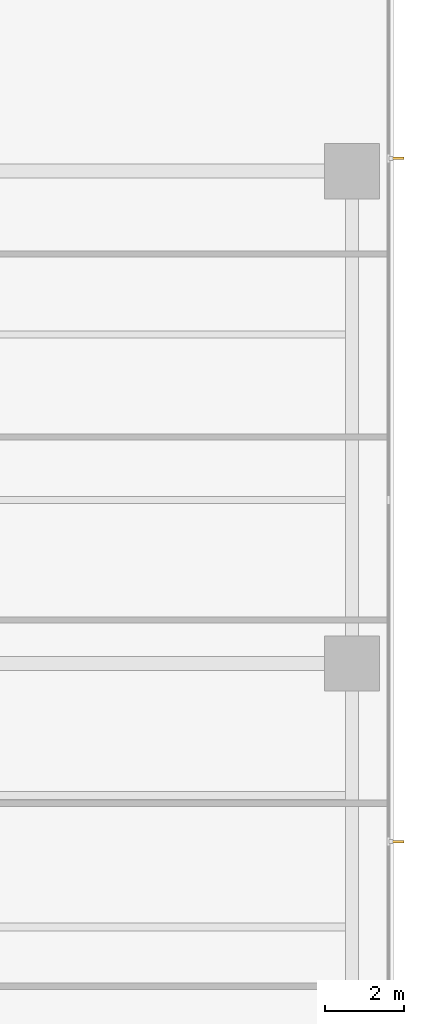
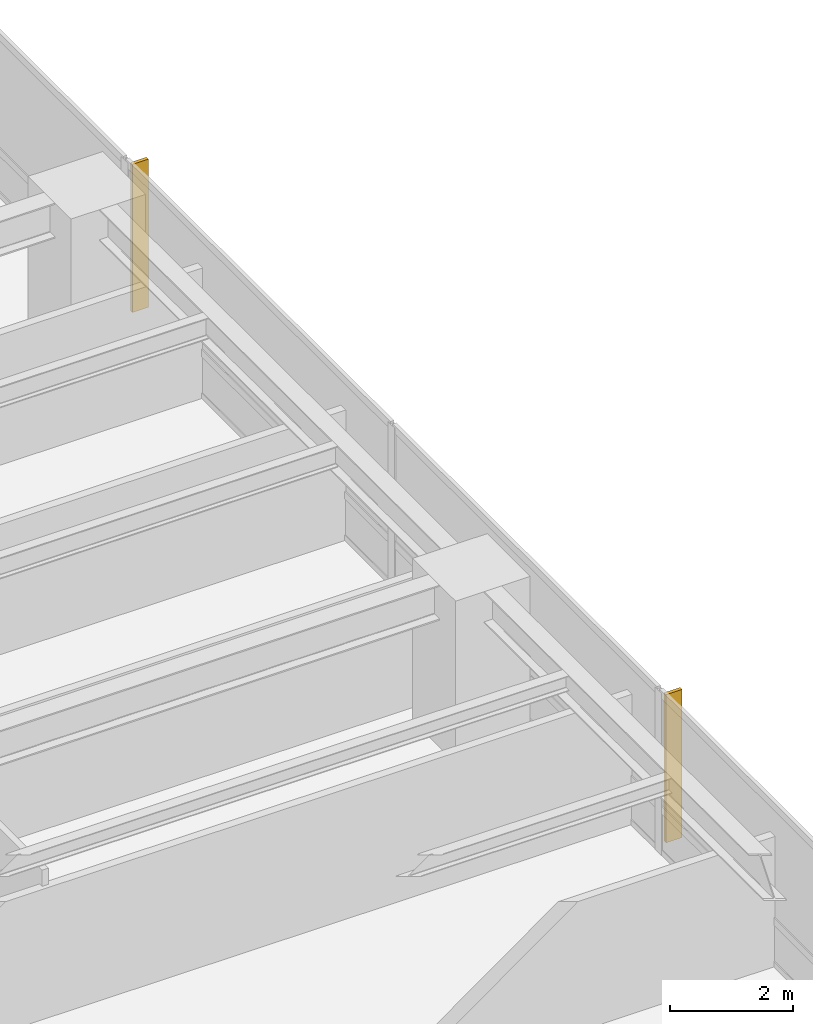
# One storey, part 17 of 18: 2 shading devices.
"""IFC4 building model written with IfcOpenShell, lengths in metres."""

import ifcopenshell
import ifcopenshell.guid

model = None  # the IFC model being written
_history = None  # IfcOwnerHistory: only IFC2X3 demands one
_inside = {}  # id of a spatial element -> (the spatial element, [elements in it])
_under = {}  # id of a project, library or spatial element -> (it, [spatial elements below it])
_declared = {}  # id of a project -> (the project, [libraries it declares])
_typed = {}  # id of a type object -> (the type object, [elements of that type])
_made_of = {}  # id of a material, layer set ... -> (it, [elements and type objects made of it])


def new_model(schema):
    """Start an empty IFC model of exactly this schema.

    Asked for "IFC4X3", IfcOpenShell would pick the latest addendum, in which some entities
    have other attributes; the version numbers below select the first issue.
    IFC2X3 requires an IfcOwnerHistory on every rooted entity: one is made here for all.
    """
    global model, _history
    if schema == "IFC4X3":
        model = ifcopenshell.file(schema_version=(4, 3, 0, 0))
    else:
        model = ifcopenshell.file(schema=schema)
    _inside.clear()
    _under.clear()
    _declared.clear()
    _typed.clear()
    _made_of.clear()
    _history = None
    if model.schema == "IFC2X3":
        org = make("IfcOrganization", Name="unknown")
        user = make(
            "IfcPersonAndOrganization",
            ThePerson=make("IfcPerson", FamilyName="unknown"),
            TheOrganization=org,
        )
        app = make(
            "IfcApplication",
            ApplicationDeveloper=org,
            Version="unknown",
            ApplicationFullName="unknown",
            ApplicationIdentifier="unknown",
        )
        _history = make(
            "IfcOwnerHistory",
            OwningUser=user,
            OwningApplication=app,
            ChangeAction="ADDED",
            CreationDate=0,
        )
    return model


def make(cls, **values):
    """One entity of the class cls with the attributes given. An attribute that is None is left unset."""
    return model.create_entity(
        cls, **{name: value for name, value in values.items() if value is not None}
    )


def rooted(cls, **values):
    """An entity with a GlobalId (a new one), such as an element, a storey or a relation."""
    return make(cls, GlobalId=ifcopenshell.guid.new(), OwnerHistory=_history, **values)


def si_unit(unit_type, name, prefix=None):
    """IfcSIUnit, for example si_unit("LENGTHUNIT", "METRE", prefix="MILLI")."""
    return make("IfcSIUnit", UnitType=unit_type, Prefix=prefix, Name=name)


def assignment(units):
    """IfcUnitAssignment: the units of a project."""
    return None if units is None else make("IfcUnitAssignment", Units=units)


def point(xyz):
    """IfcCartesianPoint."""
    return None if xyz is None else make("IfcCartesianPoint", Coordinates=xyz)


def direction(xyz):
    """IfcDirection."""
    return None if xyz is None else make("IfcDirection", DirectionRatios=xyz)


def frame(location, z_axis=None, x_axis=None):
    """IfcAxis2Placement3D, a coordinate frame: its origin and axes. An axis left out is left unset."""
    return make(
        "IfcAxis2Placement3D",
        Location=point(location),
        Axis=direction(z_axis),
        RefDirection=direction(x_axis),
    )


def origin():
    """The frame at (0, 0, 0) with its axes left unset."""
    return frame((0.0, 0.0, 0.0))


def place(relative_to, where):
    """IfcLocalPlacement: puts the frame where relative to a parent placement (None: the world)."""
    return make(
        "IfcLocalPlacement", PlacementRelTo=relative_to, RelativePlacement=where
    )


def context(
    kind, dimensions, precision=None, world=None, true_north=None, identifier=None
):
    """IfcGeometricRepresentationContext, for example the 3D "Model" context."""
    return make(
        "IfcGeometricRepresentationContext",
        ContextIdentifier=identifier,
        ContextType=kind,
        CoordinateSpaceDimension=dimensions,
        Precision=precision,
        WorldCoordinateSystem=world,
        TrueNorth=true_north,
    )


def subcontext(parent, identifier, kind, view, scale=None):
    """IfcGeometricRepresentationSubContext, for example "Body" below "Model"."""
    return make(
        "IfcGeometricRepresentationSubContext",
        ContextIdentifier=identifier,
        ContextType=kind,
        ParentContext=parent,
        TargetScale=scale,
        TargetView=view,
    )


def project(units=None, contexts=None):
    """IfcProject with its units and contexts."""
    return rooted(
        "IfcProject",
        Name="project",
        RepresentationContexts=contexts,
        UnitsInContext=assignment(units),
    )


def spatial(cls, under=None, at=None, **own):
    """A site, building, storey or space (cls), placed at a placement, below another one or the project."""
    s = rooted(cls, ObjectPlacement=at, **own)
    if under is not None:
        _under.setdefault(under.id(), (under, []))[1].append(s)
    return s


def polyline(points):
    """IfcPolyline through the points."""
    return make("IfcPolyline", Points=[point(p) for p in points])


def outline(outer, holes=None, kind="AREA"):
    """IfcArbitraryClosedProfileDef: a profile drawn as a closed curve; with holes, ...WithVoids."""
    if holes is None:
        return make("IfcArbitraryClosedProfileDef", ProfileType=kind, OuterCurve=outer)
    return make(
        "IfcArbitraryProfileDefWithVoids",
        ProfileType=kind,
        OuterCurve=outer,
        InnerCurves=holes,
    )


def extrude(swept, where, along, depth):
    """IfcExtrudedAreaSolid: the profile swept, set in the frame where, extruded along a direction by depth."""
    return make(
        "IfcExtrudedAreaSolid",
        SweptArea=swept,
        Position=where,
        ExtrudedDirection=direction(along),
        Depth=depth,
    )


def shape(context_of_items, identifier, shape_type, items):
    """IfcShapeRepresentation: the items that make up one representation, for example the "Body"."""
    return make(
        "IfcShapeRepresentation",
        ContextOfItems=context_of_items,
        RepresentationIdentifier=identifier,
        RepresentationType=shape_type,
        Items=items,
    )


def material(Name=None, Category=None):
    """IfcMaterial."""
    return make("IfcMaterial", Name=Name, Category=Category)


def layer(
    of_material, thickness, ventilated=None, Name=None, Category=None, Priority=None
):
    """IfcMaterialLayer: one layer of a wall or slab, of a material (None: an air gap)."""
    return make(
        "IfcMaterialLayer",
        Material=of_material,
        LayerThickness=thickness,
        IsVentilated=ventilated,
        Name=Name,
        Category=Category,
        Priority=Priority,
    )


def layer_set(layers, Name=None):
    """IfcMaterialLayerSet."""
    return make("IfcMaterialLayerSet", MaterialLayers=layers, LayerSetName=Name)


def made_of(thing, what):
    """Note that an element or type object is made of a material, layer set ...; save() writes the relation."""
    if what is not None:
        _made_of.setdefault(what.id(), (what, []))[1].append(thing)
    return thing


def type_object(cls, material=None, **own):
    """A type object (cls), such as IfcWallType, which elements share."""
    return made_of(rooted(cls, **own), material)


def element(
    cls,
    number,
    at=None,
    inside=None,
    cuts=None,
    type_object=None,
    material=None,
    context=None,
    identifier="Body",
    shape_type=None,
    held_by="IfcProductDefinitionShape",
    body=None,
    shapes=None,
    **own,
):
    """One element of the class cls, such as IfcWall. Its Tag is "e" and its number.

    at: its placement. inside: the storey or other place that contains it. cuts: it is an
    opening in that element (IfcRelVoidsElement). A single representation is given by context,
    identifier, shape_type and body (its items); several are given by shapes. held_by: the class
    of the entity that holds the representations. save() writes the other relations.
    """
    e = rooted(cls, Tag="e%d" % number, ObjectPlacement=at, **own)
    if body is not None:
        shapes = [shape(context, identifier, shape_type, body)]
    if shapes is not None:
        e.Representation = make(held_by, Representations=shapes)
    if inside is not None:
        _inside.setdefault(inside.id(), (inside, []))[1].append(e)
    if cuts is not None:
        rooted(
            "IfcRelVoidsElement", RelatingBuildingElement=cuts, RelatedOpeningElement=e
        )
    if type_object is not None:
        _typed.setdefault(type_object.id(), (type_object, []))[1].append(e)
    return made_of(e, material)


def aggregate(whole, parts):
    """IfcRelAggregates: a whole, such as a stair, and the parts it consists of."""
    return rooted("IfcRelAggregates", RelatingObject=whole, RelatedObjects=parts)


def save(model, path):
    """Write the relations noted so far, then the file.

    IfcRelAggregates (storeys below a building ...), IfcRelContainedInSpatialStructure (elements
    in a storey), IfcRelDefinesByType, IfcRelAssociatesMaterial and IfcRelDeclares: one each for
    every whole, place, type object, material and project.
    """
    for whole, parts in _under.values():
        aggregate(whole, parts)
    for where, things in _inside.values():
        rooted(
            "IfcRelContainedInSpatialStructure",
            RelatedElements=things,
            RelatingStructure=where,
        )
    for kind, things in _typed.values():
        rooted("IfcRelDefinesByType", RelatedObjects=things, RelatingType=kind)
    for what, things in _made_of.values():
        rooted("IfcRelAssociatesMaterial", RelatedObjects=things, RelatingMaterial=what)
    for by, libraries in _declared.values():
        rooted("IfcRelDeclares", RelatingContext=by, RelatedDefinitions=libraries)
    model.write(path)


model = new_model("IFC4")

# Units and contexts
model_context = context("Model", 3, precision=1e-05, world=origin(), true_north=direction((0.0, 1.0)))
body_context = subcontext(model_context, "Body", "Model", "MODEL_VIEW")
ifc_project = project(units=[si_unit("LENGTHUNIT", "METRE"), si_unit("AREAUNIT", "SQUARE_METRE"), si_unit("VOLUMEUNIT", "CUBIC_METRE"), si_unit("PLANEANGLEUNIT", "RADIAN"), si_unit("MASSUNIT", "GRAM", prefix="KILO")], contexts=[model_context])

# Site, building, storey
site_placement = place(None, origin())
site = spatial("IfcSite", under=ifc_project, at=site_placement, CompositionType="ELEMENT")
building_placement = place(site_placement, origin())
building = spatial("IfcBuilding", under=site, at=building_placement, Name="Qalmaran Belvedere Hotel", CompositionType="ELEMENT")
storey_placement = place(building_placement, frame((0.0, 0.0, 54.39990234375)))
storey = spatial("IfcBuildingStorey", under=building, at=storey_placement, Name="L13", CompositionType="ELEMENT", Elevation=54.39990234375)

# Shading devices
ifc_material = material(Name="Anodised Bronze Aluminium", Category="aluminium")
ifc_layer = layer(ifc_material, 0.06494140625, Name="Anodised Bronze Aluminium")
ifc_layer_set = layer_set([ifc_layer], Name="Anodised Bronze Aluminium")
shading_device_type = type_object("IfcShadingDeviceType", Name="FIN-BRNZ-300", PredefinedType="USERDEFINED", material=ifc_layer_set)
shading_device_1_placement = place(storey_placement, frame((0.0, 0.0, 0.16015625)))
element("IfcShadingDevice", 1, at=shading_device_1_placement, inside=storey, type_object=shading_device_type, Name="L13 Bronze Fin 1", ObjectType="FIN", PredefinedType="USERDEFINED", context=body_context, shape_type="SweptSolid", body=[
    extrude(outline(polyline([(61.7724609375, 15.9423828125), (62.072509765625, 15.9423828125), (62.072509765625, 16.007568359375), (61.7724609375, 16.007568359375), (61.7724609375, 15.9423828125)])), origin(), (0.0, 0.0, 1.0), 2.93994140625),
])
shading_device_2_placement = place(storey_placement, frame((0.0, 0.0, 0.16015625)))
element("IfcShadingDevice", 2, at=shading_device_2_placement, inside=storey, type_object=shading_device_type, Name="L13 Bronze Fin 3", ObjectType="FIN", PredefinedType="USERDEFINED", context=body_context, shape_type="SweptSolid", body=[
    extrude(outline(polyline([(61.7724609375, 33.29248046875), (62.072509765625, 33.29248046875), (62.072509765625, 33.357421875), (61.7724609375, 33.357421875), (61.7724609375, 33.29248046875)])), origin(), (0.0, 0.0, 1.0), 2.93994140625),
])

save(model, "model.ifc")
